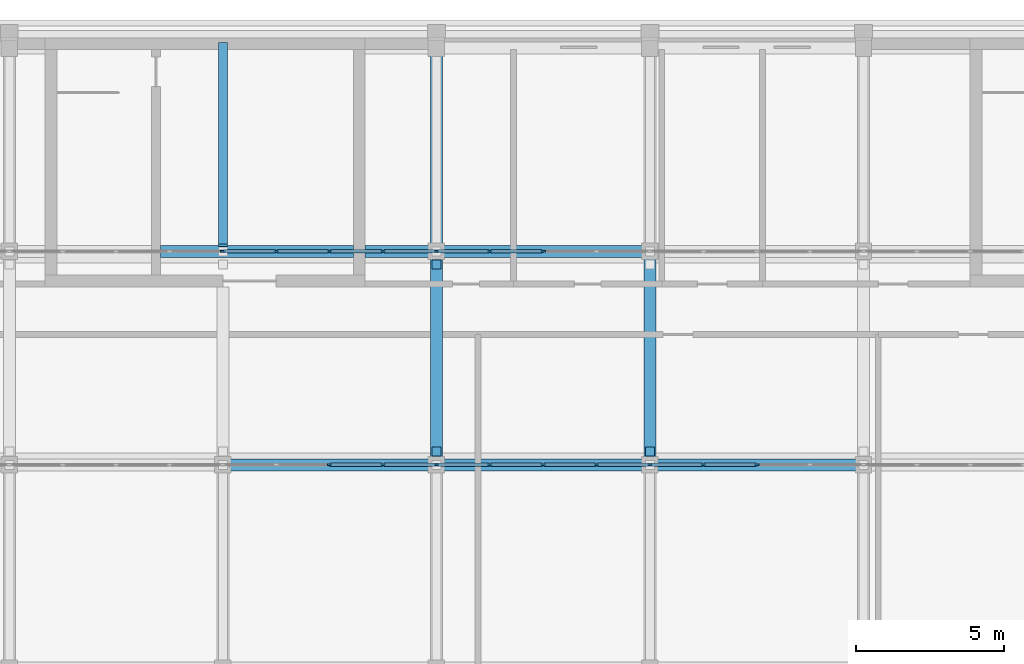
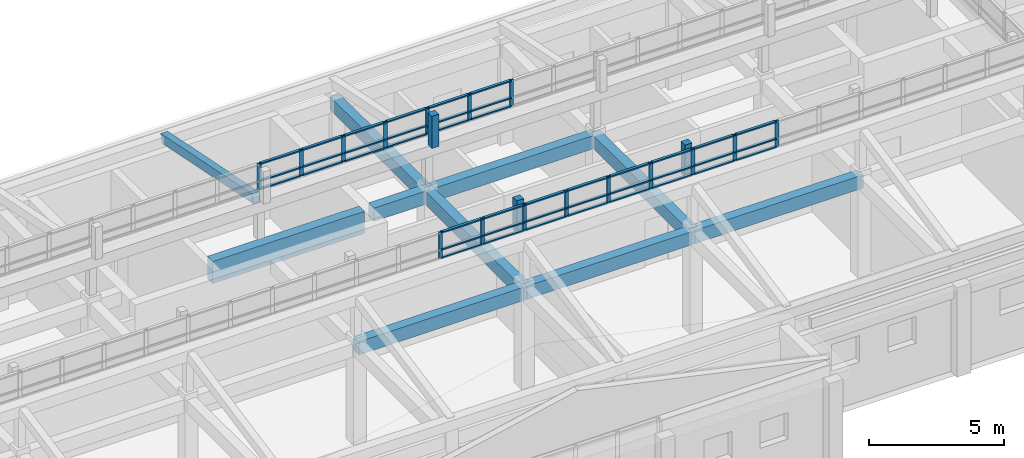
# One storey, part 19 of 48: 61 members, 10 beams, 2 elements without a shape of their own.
"""IFC4 building model written with IfcOpenShell, lengths in metres."""

from ifc_helpers import new_model, si_unit, direction, frame, origin, origin_2d, place, context, subcontext, project, spatial, rectangle, extrude, material, material_profile, profile_set, type_object, element, aggregate, save


model = new_model("IFC4")

# Units and contexts
model_context = context("Model", 3, precision=1e-05, world=origin(), true_north=direction((0.0, 1.0)))
body_context = subcontext(model_context, "Body", "Model", "MODEL_VIEW")
ifc_project = project(units=[si_unit("LENGTHUNIT", "METRE"), si_unit("AREAUNIT", "SQUARE_METRE"), si_unit("VOLUMEUNIT", "CUBIC_METRE"), si_unit("PLANEANGLEUNIT", "RADIAN"), si_unit("MASSUNIT", "GRAM", prefix="KILO")], contexts=[model_context])

# Site, building, storey
site_placement = place(None, origin())
site = spatial("IfcSite", under=ifc_project, at=site_placement, CompositionType="ELEMENT")
building_placement = place(site_placement, origin())
building = spatial("IfcBuilding", under=site, at=building_placement, Name="Alderwick Market Hall", CompositionType="ELEMENT")
storey_placement = place(building_placement, frame((0.0, 0.0, 14.39990234375)))
storey = spatial("IfcBuildingStorey", under=building, at=storey_placement, Name="L02", CompositionType="ELEMENT", Elevation=14.39990234375)

# Curtain wall, members
ifc_material_1 = material(Name="F Curtain Wall 1800 module")
curtain_wall_type = type_object("IfcCurtainWallType", Name="F Curtain Wall 1800 module", PredefinedType="NOTDEFINED", material=ifc_material_1)
curtain_wall_1_placement = place(storey_placement, origin())
curtain_wall_1 = element("IfcCurtainWall", 1, at=curtain_wall_1_placement, inside=storey, type_object=curtain_wall_type, Name="F.lantern.L02.s", PredefinedType="NOTDEFINED")
ifc_material_2 = material(Name="Aluminium alloy 6063-T6", Category="aluminium")
ifc_material_profile_1 = material_profile(ifc_material_2, rectangle(XDim=0.06005859375, YDim=0.159912109375, at=origin_2d()), Name="AL 60x160")
ifc_profile_set_1 = profile_set([ifc_material_profile_1], Name="Aluminium alloy 6063-T6")
member_type_1 = type_object("IfcMemberType", Name="F Curtain Wall Mullion 60x160", PredefinedType="MULLION", material=ifc_profile_set_1)
member_1_placement = place(storey_placement, frame((198.0, 136.800048828125, 6.955078125), z_axis=(0.0, 0.0, 1.0), x_axis=(0.0, 1.0, 0.0)))
member_1 = element("IfcMember", 2, at=member_1_placement, type_object=member_type_1, Name="F-LCW mullion 19", PredefinedType="MULLION", context=body_context, shape_type="SweptSolid", body=[
    extrude(rectangle(XDim=0.06005859375, YDim=0.159912109375, at=origin_2d()), origin(), (0.0, 0.0, 1.0), 1.199951171875),
])
member_2_placement = place(storey_placement, frame((199.800048828125, 136.800048828125, 6.955078125), z_axis=(0.0, 0.0, 1.0), x_axis=(0.0, 1.0, 0.0)))
member_2 = element("IfcMember", 3, at=member_2_placement, type_object=member_type_1, Name="F-LCW mullion 20", PredefinedType="MULLION", context=body_context, shape_type="SweptSolid", body=[
    extrude(rectangle(XDim=0.06005859375, YDim=0.159912109375, at=origin_2d()), origin(), (0.0, 0.0, 1.0), 1.199951171875),
])
member_3_placement = place(storey_placement, frame((201.60009765625, 136.800048828125, 6.955078125), z_axis=(0.0, 0.0, 1.0), x_axis=(0.0, 1.0, 0.0)))
member_3 = element("IfcMember", 4, at=member_3_placement, type_object=member_type_1, Name="F-LCW mullion 21", PredefinedType="MULLION", context=body_context, shape_type="SweptSolid", body=[
    extrude(rectangle(XDim=0.06005859375, YDim=0.159912109375, at=origin_2d()), origin(), (0.0, 0.0, 1.0), 1.199951171875),
])
member_4_placement = place(storey_placement, frame((203.39990234375, 136.800048828125, 6.955078125), z_axis=(0.0, 0.0, 1.0), x_axis=(0.0, 1.0, 0.0)))
member_4 = element("IfcMember", 5, at=member_4_placement, type_object=member_type_1, Name="F-LCW mullion 22", PredefinedType="MULLION", context=body_context, shape_type="SweptSolid", body=[
    extrude(rectangle(XDim=0.06005859375, YDim=0.159912109375, at=origin_2d()), origin(), (0.0, 0.0, 1.0), 1.199951171875),
])
member_5_placement = place(storey_placement, frame((205.199951171875, 136.800048828125, 6.955078125), z_axis=(0.0, 0.0, 1.0), x_axis=(0.0, 1.0, 0.0)))
member_5 = element("IfcMember", 6, at=member_5_placement, type_object=member_type_1, Name="F-LCW mullion 23", PredefinedType="MULLION", context=body_context, shape_type="SweptSolid", body=[
    extrude(rectangle(XDim=0.06005859375, YDim=0.159912109375, at=origin_2d()), origin(), (0.0, 0.0, 1.0), 1.199951171875),
])
member_6_placement = place(storey_placement, frame((207.0, 136.800048828125, 6.955078125), z_axis=(0.0, 0.0, 1.0), x_axis=(0.0, 1.0, 0.0)))
member_6 = element("IfcMember", 7, at=member_6_placement, type_object=member_type_1, Name="F-LCW mullion 24", PredefinedType="MULLION", context=body_context, shape_type="SweptSolid", body=[
    extrude(rectangle(XDim=0.06005859375, YDim=0.159912109375, at=origin_2d()), origin(), (0.0, 0.0, 1.0), 1.199951171875),
])
member_7_placement = place(storey_placement, frame((208.800048828125, 136.800048828125, 6.955078125), z_axis=(0.0, 0.0, 1.0), x_axis=(0.0, 1.0, 0.0)))
member_7 = element("IfcMember", 8, at=member_7_placement, type_object=member_type_1, Name="F-LCW mullion 25", PredefinedType="MULLION", context=body_context, shape_type="SweptSolid", body=[
    extrude(rectangle(XDim=0.06005859375, YDim=0.159912109375, at=origin_2d()), origin(), (0.0, 0.0, 1.0), 1.199951171875),
])
member_8_placement = place(storey_placement, frame((210.60009765625, 136.800048828125, 6.955078125), z_axis=(0.0, 0.0, 1.0), x_axis=(0.0, 1.0, 0.0)))
member_8 = element("IfcMember", 9, at=member_8_placement, type_object=member_type_1, Name="F-LCW mullion 26", PredefinedType="MULLION", context=body_context, shape_type="SweptSolid", body=[
    extrude(rectangle(XDim=0.06005859375, YDim=0.159912109375, at=origin_2d()), origin(), (0.0, 0.0, 1.0), 1.199951171875),
])
member_9_placement = place(storey_placement, frame((212.39990234375, 136.800048828125, 6.955078125), z_axis=(0.0, 0.0, 1.0), x_axis=(0.0, 1.0, 0.0)))
member_9 = element("IfcMember", 10, at=member_9_placement, type_object=member_type_1, Name="F-LCW mullion 27", PredefinedType="MULLION", context=body_context, shape_type="SweptSolid", body=[
    extrude(rectangle(XDim=0.06005859375, YDim=0.159912109375, at=origin_2d()), origin(), (0.0, 0.0, 1.0), 1.199951171875),
])

curtain_wall_2_placement = place(storey_placement, origin())
curtain_wall_2 = element("IfcCurtainWall", 11, at=curtain_wall_2_placement, inside=storey, type_object=curtain_wall_type, Name="F.lantern.L02.n", PredefinedType="NOTDEFINED")
member_10_placement = place(storey_placement, frame((194.39990234375, 144.0, 6.955078125), z_axis=(0.0, 0.0, 1.0), x_axis=(0.0, 1.0, 0.0)))
member_10 = element("IfcMember", 12, at=member_10_placement, type_object=member_type_1, Name="F-LCW mullion 17", PredefinedType="MULLION", context=body_context, shape_type="SweptSolid", body=[
    extrude(rectangle(XDim=0.06005859375, YDim=0.159912109375, at=origin_2d()), origin(), (0.0, 0.0, 1.0), 1.199951171875),
])
member_11_placement = place(storey_placement, frame((196.199951171875, 144.0, 6.955078125), z_axis=(0.0, 0.0, 1.0), x_axis=(0.0, 1.0, 0.0)))
member_11 = element("IfcMember", 13, at=member_11_placement, type_object=member_type_1, Name="F-LCW mullion 18", PredefinedType="MULLION", context=body_context, shape_type="SweptSolid", body=[
    extrude(rectangle(XDim=0.06005859375, YDim=0.159912109375, at=origin_2d()), origin(), (0.0, 0.0, 1.0), 1.199951171875),
])
member_12_placement = place(storey_placement, frame((198.0, 144.0, 6.955078125), z_axis=(0.0, 0.0, 1.0), x_axis=(0.0, 1.0, 0.0)))
member_12 = element("IfcMember", 14, at=member_12_placement, type_object=member_type_1, Name="F-LCW mullion 19", PredefinedType="MULLION", context=body_context, shape_type="SweptSolid", body=[
    extrude(rectangle(XDim=0.06005859375, YDim=0.159912109375, at=origin_2d()), origin(), (0.0, 0.0, 1.0), 1.199951171875),
])
member_13_placement = place(storey_placement, frame((199.800048828125, 144.0, 6.955078125), z_axis=(0.0, 0.0, 1.0), x_axis=(0.0, 1.0, 0.0)))
member_13 = element("IfcMember", 15, at=member_13_placement, type_object=member_type_1, Name="F-LCW mullion 20", PredefinedType="MULLION", context=body_context, shape_type="SweptSolid", body=[
    extrude(rectangle(XDim=0.06005859375, YDim=0.159912109375, at=origin_2d()), origin(), (0.0, 0.0, 1.0), 1.199951171875),
])
member_14_placement = place(storey_placement, frame((201.60009765625, 144.0, 6.955078125), z_axis=(0.0, 0.0, 1.0), x_axis=(0.0, 1.0, 0.0)))
member_14 = element("IfcMember", 16, at=member_14_placement, type_object=member_type_1, Name="F-LCW mullion 21", PredefinedType="MULLION", context=body_context, shape_type="SweptSolid", body=[
    extrude(rectangle(XDim=0.06005859375, YDim=0.159912109375, at=origin_2d()), origin(), (0.0, 0.0, 1.0), 1.199951171875),
])
member_15_placement = place(storey_placement, frame((203.39990234375, 144.0, 6.955078125), z_axis=(0.0, 0.0, 1.0), x_axis=(0.0, 1.0, 0.0)))
member_15 = element("IfcMember", 17, at=member_15_placement, type_object=member_type_1, Name="F-LCW mullion 22", PredefinedType="MULLION", context=body_context, shape_type="SweptSolid", body=[
    extrude(rectangle(XDim=0.06005859375, YDim=0.159912109375, at=origin_2d()), origin(), (0.0, 0.0, 1.0), 1.199951171875),
])
member_16_placement = place(storey_placement, frame((205.199951171875, 144.0, 6.955078125), z_axis=(0.0, 0.0, 1.0), x_axis=(0.0, 1.0, 0.0)))
member_16 = element("IfcMember", 18, at=member_16_placement, type_object=member_type_1, Name="F-LCW mullion 23", PredefinedType="MULLION", context=body_context, shape_type="SweptSolid", body=[
    extrude(rectangle(XDim=0.06005859375, YDim=0.159912109375, at=origin_2d()), origin(), (0.0, 0.0, 1.0), 1.199951171875),
])

# Member
ifc_material_profile_2 = material_profile(ifc_material_2, rectangle(XDim=0.1201171875, YDim=0.06005859375, at=origin_2d()), Name="AL 60x120")
ifc_profile_set_2 = profile_set([ifc_material_profile_2], Name="Aluminium alloy 6063-T6")
member_type_2 = type_object("IfcMemberType", Name="F Curtain Wall Transom 60x120", PredefinedType="USERDEFINED", material=ifc_profile_set_2)
member_17_placement = place(storey_placement, frame((198.030029296875, 136.800048828125, 6.985107421875), z_axis=(1.0, 0.0, 0.0), x_axis=(0.0, 1.0, 0.0)))
member_17 = element("IfcMember", 19, at=member_17_placement, type_object=member_type_2, Name="F-LCW transom 19.1", ObjectType="TRANSOM", PredefinedType="USERDEFINED", context=body_context, shape_type="SweptSolid", body=[
    extrude(rectangle(XDim=0.1201171875, YDim=0.06005859375, at=origin_2d()), origin(), (0.0, 0.0, 1.0), 1.739990234375),
])

member_18_placement = place(storey_placement, frame((198.030029296875, 136.800048828125, 7.35498046875), z_axis=(1.0, 0.0, 0.0), x_axis=(0.0, 1.0, 0.0)))
member_18 = element("IfcMember", 20, at=member_18_placement, type_object=member_type_2, Name="F-LCW transom 19.2", ObjectType="TRANSOM", PredefinedType="USERDEFINED", context=body_context, shape_type="SweptSolid", body=[
    extrude(rectangle(XDim=0.1201171875, YDim=0.06005859375, at=origin_2d()), origin(), (0.0, 0.0, 1.0), 1.739990234375),
])

member_19_placement = place(storey_placement, frame((198.030029296875, 136.800048828125, 8.125), z_axis=(1.0, 0.0, 0.0), x_axis=(0.0, 1.0, 0.0)))
member_19 = element("IfcMember", 21, at=member_19_placement, type_object=member_type_2, Name="F-LCW transom 19.3", ObjectType="TRANSOM", PredefinedType="USERDEFINED", context=body_context, shape_type="SweptSolid", body=[
    extrude(rectangle(XDim=0.1201171875, YDim=0.06005859375, at=origin_2d()), origin(), (0.0, 0.0, 1.0), 1.739990234375),
])

member_20_placement = place(storey_placement, frame((199.830078125, 136.800048828125, 6.985107421875), z_axis=(1.0, 0.0, 0.0), x_axis=(0.0, 1.0, 0.0)))
member_20 = element("IfcMember", 22, at=member_20_placement, type_object=member_type_2, Name="F-LCW transom 20.1", ObjectType="TRANSOM", PredefinedType="USERDEFINED", context=body_context, shape_type="SweptSolid", body=[
    extrude(rectangle(XDim=0.1201171875, YDim=0.06005859375, at=origin_2d()), origin(), (0.0, 0.0, 1.0), 1.739990234375),
])

member_21_placement = place(storey_placement, frame((199.830078125, 136.800048828125, 7.35498046875), z_axis=(1.0, 0.0, 0.0), x_axis=(0.0, 1.0, 0.0)))
member_21 = element("IfcMember", 23, at=member_21_placement, type_object=member_type_2, Name="F-LCW transom 20.2", ObjectType="TRANSOM", PredefinedType="USERDEFINED", context=body_context, shape_type="SweptSolid", body=[
    extrude(rectangle(XDim=0.1201171875, YDim=0.06005859375, at=origin_2d()), origin(), (0.0, 0.0, 1.0), 1.739990234375),
])

member_22_placement = place(storey_placement, frame((199.830078125, 136.800048828125, 8.125), z_axis=(1.0, 0.0, 0.0), x_axis=(0.0, 1.0, 0.0)))
member_22 = element("IfcMember", 24, at=member_22_placement, type_object=member_type_2, Name="F-LCW transom 20.3", ObjectType="TRANSOM", PredefinedType="USERDEFINED", context=body_context, shape_type="SweptSolid", body=[
    extrude(rectangle(XDim=0.1201171875, YDim=0.06005859375, at=origin_2d()), origin(), (0.0, 0.0, 1.0), 1.739990234375),
])

member_23_placement = place(storey_placement, frame((201.6298828125, 136.800048828125, 6.985107421875), z_axis=(1.0, 0.0, 0.0), x_axis=(0.0, 1.0, 0.0)))
member_23 = element("IfcMember", 25, at=member_23_placement, type_object=member_type_2, Name="F-LCW transom 21.1", ObjectType="TRANSOM", PredefinedType="USERDEFINED", context=body_context, shape_type="SweptSolid", body=[
    extrude(rectangle(XDim=0.1201171875, YDim=0.06005859375, at=origin_2d()), origin(), (0.0, 0.0, 1.0), 1.740234375),
])

member_24_placement = place(storey_placement, frame((201.6298828125, 136.800048828125, 7.35498046875), z_axis=(1.0, 0.0, 0.0), x_axis=(0.0, 1.0, 0.0)))
member_24 = element("IfcMember", 26, at=member_24_placement, type_object=member_type_2, Name="F-LCW transom 21.2", ObjectType="TRANSOM", PredefinedType="USERDEFINED", context=body_context, shape_type="SweptSolid", body=[
    extrude(rectangle(XDim=0.1201171875, YDim=0.06005859375, at=origin_2d()), origin(), (0.0, 0.0, 1.0), 1.740234375),
])

member_25_placement = place(storey_placement, frame((201.6298828125, 136.800048828125, 8.125), z_axis=(1.0, 0.0, 0.0), x_axis=(0.0, 1.0, 0.0)))
member_25 = element("IfcMember", 27, at=member_25_placement, type_object=member_type_2, Name="F-LCW transom 21.3", ObjectType="TRANSOM", PredefinedType="USERDEFINED", context=body_context, shape_type="SweptSolid", body=[
    extrude(rectangle(XDim=0.1201171875, YDim=0.06005859375, at=origin_2d()), origin(), (0.0, 0.0, 1.0), 1.740234375),
])

member_26_placement = place(storey_placement, frame((203.429931640625, 136.800048828125, 6.985107421875), z_axis=(1.0, 0.0, 0.0), x_axis=(0.0, 1.0, 0.0)))
member_26 = element("IfcMember", 28, at=member_26_placement, type_object=member_type_2, Name="F-LCW transom 22.1", ObjectType="TRANSOM", PredefinedType="USERDEFINED", context=body_context, shape_type="SweptSolid", body=[
    extrude(rectangle(XDim=0.1201171875, YDim=0.06005859375, at=origin_2d()), origin(), (0.0, 0.0, 1.0), 1.739990234375),
])

member_27_placement = place(storey_placement, frame((203.429931640625, 136.800048828125, 7.35498046875), z_axis=(1.0, 0.0, 0.0), x_axis=(0.0, 1.0, 0.0)))
member_27 = element("IfcMember", 29, at=member_27_placement, type_object=member_type_2, Name="F-LCW transom 22.2", ObjectType="TRANSOM", PredefinedType="USERDEFINED", context=body_context, shape_type="SweptSolid", body=[
    extrude(rectangle(XDim=0.1201171875, YDim=0.06005859375, at=origin_2d()), origin(), (0.0, 0.0, 1.0), 1.739990234375),
])

member_28_placement = place(storey_placement, frame((203.429931640625, 136.800048828125, 8.125), z_axis=(1.0, 0.0, 0.0), x_axis=(0.0, 1.0, 0.0)))
member_28 = element("IfcMember", 30, at=member_28_placement, type_object=member_type_2, Name="F-LCW transom 22.3", ObjectType="TRANSOM", PredefinedType="USERDEFINED", context=body_context, shape_type="SweptSolid", body=[
    extrude(rectangle(XDim=0.1201171875, YDim=0.06005859375, at=origin_2d()), origin(), (0.0, 0.0, 1.0), 1.739990234375),
])

member_29_placement = place(storey_placement, frame((205.22998046875, 136.800048828125, 6.985107421875), z_axis=(1.0, 0.0, 0.0), x_axis=(0.0, 1.0, 0.0)))
member_29 = element("IfcMember", 31, at=member_29_placement, type_object=member_type_2, Name="F-LCW transom 23.1", ObjectType="TRANSOM", PredefinedType="USERDEFINED", context=body_context, shape_type="SweptSolid", body=[
    extrude(rectangle(XDim=0.1201171875, YDim=0.06005859375, at=origin_2d()), origin(), (0.0, 0.0, 1.0), 1.739990234375),
])

member_30_placement = place(storey_placement, frame((205.22998046875, 136.800048828125, 7.35498046875), z_axis=(1.0, 0.0, 0.0), x_axis=(0.0, 1.0, 0.0)))
member_30 = element("IfcMember", 32, at=member_30_placement, type_object=member_type_2, Name="F-LCW transom 23.2", ObjectType="TRANSOM", PredefinedType="USERDEFINED", context=body_context, shape_type="SweptSolid", body=[
    extrude(rectangle(XDim=0.1201171875, YDim=0.06005859375, at=origin_2d()), origin(), (0.0, 0.0, 1.0), 1.739990234375),
])

member_31_placement = place(storey_placement, frame((205.22998046875, 136.800048828125, 8.125), z_axis=(1.0, 0.0, 0.0), x_axis=(0.0, 1.0, 0.0)))
member_31 = element("IfcMember", 33, at=member_31_placement, type_object=member_type_2, Name="F-LCW transom 23.3", ObjectType="TRANSOM", PredefinedType="USERDEFINED", context=body_context, shape_type="SweptSolid", body=[
    extrude(rectangle(XDim=0.1201171875, YDim=0.06005859375, at=origin_2d()), origin(), (0.0, 0.0, 1.0), 1.739990234375),
])

member_32_placement = place(storey_placement, frame((207.030029296875, 136.800048828125, 6.985107421875), z_axis=(1.0, 0.0, 0.0), x_axis=(0.0, 1.0, 0.0)))
member_32 = element("IfcMember", 34, at=member_32_placement, type_object=member_type_2, Name="F-LCW transom 24.1", ObjectType="TRANSOM", PredefinedType="USERDEFINED", context=body_context, shape_type="SweptSolid", body=[
    extrude(rectangle(XDim=0.1201171875, YDim=0.06005859375, at=origin_2d()), origin(), (0.0, 0.0, 1.0), 1.739990234375),
])

member_33_placement = place(storey_placement, frame((207.030029296875, 136.800048828125, 7.35498046875), z_axis=(1.0, 0.0, 0.0), x_axis=(0.0, 1.0, 0.0)))
member_33 = element("IfcMember", 35, at=member_33_placement, type_object=member_type_2, Name="F-LCW transom 24.2", ObjectType="TRANSOM", PredefinedType="USERDEFINED", context=body_context, shape_type="SweptSolid", body=[
    extrude(rectangle(XDim=0.1201171875, YDim=0.06005859375, at=origin_2d()), origin(), (0.0, 0.0, 1.0), 1.739990234375),
])

member_34_placement = place(storey_placement, frame((207.030029296875, 136.800048828125, 8.125), z_axis=(1.0, 0.0, 0.0), x_axis=(0.0, 1.0, 0.0)))
member_34 = element("IfcMember", 36, at=member_34_placement, type_object=member_type_2, Name="F-LCW transom 24.3", ObjectType="TRANSOM", PredefinedType="USERDEFINED", context=body_context, shape_type="SweptSolid", body=[
    extrude(rectangle(XDim=0.1201171875, YDim=0.06005859375, at=origin_2d()), origin(), (0.0, 0.0, 1.0), 1.739990234375),
])

member_35_placement = place(storey_placement, frame((208.830078125, 136.800048828125, 6.985107421875), z_axis=(1.0, 0.0, 0.0), x_axis=(0.0, 1.0, 0.0)))
member_35 = element("IfcMember", 37, at=member_35_placement, type_object=member_type_2, Name="F-LCW transom 25.1", ObjectType="TRANSOM", PredefinedType="USERDEFINED", context=body_context, shape_type="SweptSolid", body=[
    extrude(rectangle(XDim=0.1201171875, YDim=0.06005859375, at=origin_2d()), origin(), (0.0, 0.0, 1.0), 1.739990234375),
])

member_36_placement = place(storey_placement, frame((208.830078125, 136.800048828125, 7.35498046875), z_axis=(1.0, 0.0, 0.0), x_axis=(0.0, 1.0, 0.0)))
member_36 = element("IfcMember", 38, at=member_36_placement, type_object=member_type_2, Name="F-LCW transom 25.2", ObjectType="TRANSOM", PredefinedType="USERDEFINED", context=body_context, shape_type="SweptSolid", body=[
    extrude(rectangle(XDim=0.1201171875, YDim=0.06005859375, at=origin_2d()), origin(), (0.0, 0.0, 1.0), 1.739990234375),
])

member_37_placement = place(storey_placement, frame((208.830078125, 136.800048828125, 8.125), z_axis=(1.0, 0.0, 0.0), x_axis=(0.0, 1.0, 0.0)))
member_37 = element("IfcMember", 39, at=member_37_placement, type_object=member_type_2, Name="F-LCW transom 25.3", ObjectType="TRANSOM", PredefinedType="USERDEFINED", context=body_context, shape_type="SweptSolid", body=[
    extrude(rectangle(XDim=0.1201171875, YDim=0.06005859375, at=origin_2d()), origin(), (0.0, 0.0, 1.0), 1.739990234375),
])

member_38_placement = place(storey_placement, frame((210.6298828125, 136.800048828125, 6.985107421875), z_axis=(1.0, 0.0, 0.0), x_axis=(0.0, 1.0, 0.0)))
member_38 = element("IfcMember", 40, at=member_38_placement, type_object=member_type_2, Name="F-LCW transom 26.1", ObjectType="TRANSOM", PredefinedType="USERDEFINED", context=body_context, shape_type="SweptSolid", body=[
    extrude(rectangle(XDim=0.1201171875, YDim=0.06005859375, at=origin_2d()), origin(), (0.0, 0.0, 1.0), 1.740234375),
])

member_39_placement = place(storey_placement, frame((210.6298828125, 136.800048828125, 7.35498046875), z_axis=(1.0, 0.0, 0.0), x_axis=(0.0, 1.0, 0.0)))
member_39 = element("IfcMember", 41, at=member_39_placement, type_object=member_type_2, Name="F-LCW transom 26.2", ObjectType="TRANSOM", PredefinedType="USERDEFINED", context=body_context, shape_type="SweptSolid", body=[
    extrude(rectangle(XDim=0.1201171875, YDim=0.06005859375, at=origin_2d()), origin(), (0.0, 0.0, 1.0), 1.740234375),
])

member_40_placement = place(storey_placement, frame((210.6298828125, 136.800048828125, 8.125), z_axis=(1.0, 0.0, 0.0), x_axis=(0.0, 1.0, 0.0)))
member_40 = element("IfcMember", 42, at=member_40_placement, type_object=member_type_2, Name="F-LCW transom 26.3", ObjectType="TRANSOM", PredefinedType="USERDEFINED", context=body_context, shape_type="SweptSolid", body=[
    extrude(rectangle(XDim=0.1201171875, YDim=0.06005859375, at=origin_2d()), origin(), (0.0, 0.0, 1.0), 1.740234375),
])

aggregate(curtain_wall_1, [member_1, member_2, member_3, member_4, member_5, member_6, member_7, member_8, member_9, member_17, member_18, member_19, member_20, member_21, member_22, member_23, member_24, member_25, member_26, member_27, member_28, member_29, member_30, member_31, member_32, member_33, member_34, member_35, member_36, member_37, member_38, member_39, member_40])

member_41_placement = place(storey_placement, frame((194.429931640625, 144.0, 6.985107421875), z_axis=(1.0, 0.0, 0.0), x_axis=(0.0, 1.0, 0.0)))
member_41 = element("IfcMember", 43, at=member_41_placement, type_object=member_type_2, Name="F-LCW transom 17.1", ObjectType="TRANSOM", PredefinedType="USERDEFINED", context=body_context, shape_type="SweptSolid", body=[
    extrude(rectangle(XDim=0.1201171875, YDim=0.06005859375, at=origin_2d()), origin(), (0.0, 0.0, 1.0), 1.739990234375),
])

member_42_placement = place(storey_placement, frame((194.429931640625, 144.0, 7.35498046875), z_axis=(1.0, 0.0, 0.0), x_axis=(0.0, 1.0, 0.0)))
member_42 = element("IfcMember", 44, at=member_42_placement, type_object=member_type_2, Name="F-LCW transom 17.2", ObjectType="TRANSOM", PredefinedType="USERDEFINED", context=body_context, shape_type="SweptSolid", body=[
    extrude(rectangle(XDim=0.1201171875, YDim=0.06005859375, at=origin_2d()), origin(), (0.0, 0.0, 1.0), 1.739990234375),
])

member_43_placement = place(storey_placement, frame((194.429931640625, 144.0, 8.125), z_axis=(1.0, 0.0, 0.0), x_axis=(0.0, 1.0, 0.0)))
member_43 = element("IfcMember", 45, at=member_43_placement, type_object=member_type_2, Name="F-LCW transom 17.3", ObjectType="TRANSOM", PredefinedType="USERDEFINED", context=body_context, shape_type="SweptSolid", body=[
    extrude(rectangle(XDim=0.1201171875, YDim=0.06005859375, at=origin_2d()), origin(), (0.0, 0.0, 1.0), 1.739990234375),
])

member_44_placement = place(storey_placement, frame((196.22998046875, 144.0, 6.985107421875), z_axis=(1.0, 0.0, 0.0), x_axis=(0.0, 1.0, 0.0)))
member_44 = element("IfcMember", 46, at=member_44_placement, type_object=member_type_2, Name="F-LCW transom 18.1", ObjectType="TRANSOM", PredefinedType="USERDEFINED", context=body_context, shape_type="SweptSolid", body=[
    extrude(rectangle(XDim=0.1201171875, YDim=0.06005859375, at=origin_2d()), origin(), (0.0, 0.0, 1.0), 1.739990234375),
])

member_45_placement = place(storey_placement, frame((196.22998046875, 144.0, 7.35498046875), z_axis=(1.0, 0.0, 0.0), x_axis=(0.0, 1.0, 0.0)))
member_45 = element("IfcMember", 47, at=member_45_placement, type_object=member_type_2, Name="F-LCW transom 18.2", ObjectType="TRANSOM", PredefinedType="USERDEFINED", context=body_context, shape_type="SweptSolid", body=[
    extrude(rectangle(XDim=0.1201171875, YDim=0.06005859375, at=origin_2d()), origin(), (0.0, 0.0, 1.0), 1.739990234375),
])

member_46_placement = place(storey_placement, frame((196.22998046875, 144.0, 8.125), z_axis=(1.0, 0.0, 0.0), x_axis=(0.0, 1.0, 0.0)))
member_46 = element("IfcMember", 48, at=member_46_placement, type_object=member_type_2, Name="F-LCW transom 18.3", ObjectType="TRANSOM", PredefinedType="USERDEFINED", context=body_context, shape_type="SweptSolid", body=[
    extrude(rectangle(XDim=0.1201171875, YDim=0.06005859375, at=origin_2d()), origin(), (0.0, 0.0, 1.0), 1.739990234375),
])

member_47_placement = place(storey_placement, frame((198.030029296875, 144.0, 6.985107421875), z_axis=(1.0, 0.0, 0.0), x_axis=(0.0, 1.0, 0.0)))
member_47 = element("IfcMember", 49, at=member_47_placement, type_object=member_type_2, Name="F-LCW transom 19.1", ObjectType="TRANSOM", PredefinedType="USERDEFINED", context=body_context, shape_type="SweptSolid", body=[
    extrude(rectangle(XDim=0.1201171875, YDim=0.06005859375, at=origin_2d()), origin(), (0.0, 0.0, 1.0), 1.739990234375),
])

member_48_placement = place(storey_placement, frame((198.030029296875, 144.0, 7.35498046875), z_axis=(1.0, 0.0, 0.0), x_axis=(0.0, 1.0, 0.0)))
member_48 = element("IfcMember", 50, at=member_48_placement, type_object=member_type_2, Name="F-LCW transom 19.2", ObjectType="TRANSOM", PredefinedType="USERDEFINED", context=body_context, shape_type="SweptSolid", body=[
    extrude(rectangle(XDim=0.1201171875, YDim=0.06005859375, at=origin_2d()), origin(), (0.0, 0.0, 1.0), 1.739990234375),
])

member_49_placement = place(storey_placement, frame((198.030029296875, 144.0, 8.125), z_axis=(1.0, 0.0, 0.0), x_axis=(0.0, 1.0, 0.0)))
member_49 = element("IfcMember", 51, at=member_49_placement, type_object=member_type_2, Name="F-LCW transom 19.3", ObjectType="TRANSOM", PredefinedType="USERDEFINED", context=body_context, shape_type="SweptSolid", body=[
    extrude(rectangle(XDim=0.1201171875, YDim=0.06005859375, at=origin_2d()), origin(), (0.0, 0.0, 1.0), 1.739990234375),
])

member_50_placement = place(storey_placement, frame((199.830078125, 144.0, 6.985107421875), z_axis=(1.0, 0.0, 0.0), x_axis=(0.0, 1.0, 0.0)))
member_50 = element("IfcMember", 52, at=member_50_placement, type_object=member_type_2, Name="F-LCW transom 20.1", ObjectType="TRANSOM", PredefinedType="USERDEFINED", context=body_context, shape_type="SweptSolid", body=[
    extrude(rectangle(XDim=0.1201171875, YDim=0.06005859375, at=origin_2d()), origin(), (0.0, 0.0, 1.0), 1.739990234375),
])

member_51_placement = place(storey_placement, frame((199.830078125, 144.0, 7.35498046875), z_axis=(1.0, 0.0, 0.0), x_axis=(0.0, 1.0, 0.0)))
member_51 = element("IfcMember", 53, at=member_51_placement, type_object=member_type_2, Name="F-LCW transom 20.2", ObjectType="TRANSOM", PredefinedType="USERDEFINED", context=body_context, shape_type="SweptSolid", body=[
    extrude(rectangle(XDim=0.1201171875, YDim=0.06005859375, at=origin_2d()), origin(), (0.0, 0.0, 1.0), 1.739990234375),
])

member_52_placement = place(storey_placement, frame((199.830078125, 144.0, 8.125), z_axis=(1.0, 0.0, 0.0), x_axis=(0.0, 1.0, 0.0)))
member_52 = element("IfcMember", 54, at=member_52_placement, type_object=member_type_2, Name="F-LCW transom 20.3", ObjectType="TRANSOM", PredefinedType="USERDEFINED", context=body_context, shape_type="SweptSolid", body=[
    extrude(rectangle(XDim=0.1201171875, YDim=0.06005859375, at=origin_2d()), origin(), (0.0, 0.0, 1.0), 1.739990234375),
])

member_53_placement = place(storey_placement, frame((201.6298828125, 144.0, 6.985107421875), z_axis=(1.0, 0.0, 0.0), x_axis=(0.0, 1.0, 0.0)))
member_53 = element("IfcMember", 55, at=member_53_placement, type_object=member_type_2, Name="F-LCW transom 21.1", ObjectType="TRANSOM", PredefinedType="USERDEFINED", context=body_context, shape_type="SweptSolid", body=[
    extrude(rectangle(XDim=0.1201171875, YDim=0.06005859375, at=origin_2d()), origin(), (0.0, 0.0, 1.0), 1.740234375),
])

member_54_placement = place(storey_placement, frame((201.6298828125, 144.0, 7.35498046875), z_axis=(1.0, 0.0, 0.0), x_axis=(0.0, 1.0, 0.0)))
member_54 = element("IfcMember", 56, at=member_54_placement, type_object=member_type_2, Name="F-LCW transom 21.2", ObjectType="TRANSOM", PredefinedType="USERDEFINED", context=body_context, shape_type="SweptSolid", body=[
    extrude(rectangle(XDim=0.1201171875, YDim=0.06005859375, at=origin_2d()), origin(), (0.0, 0.0, 1.0), 1.740234375),
])

member_55_placement = place(storey_placement, frame((201.6298828125, 144.0, 8.125), z_axis=(1.0, 0.0, 0.0), x_axis=(0.0, 1.0, 0.0)))
member_55 = element("IfcMember", 57, at=member_55_placement, type_object=member_type_2, Name="F-LCW transom 21.3", ObjectType="TRANSOM", PredefinedType="USERDEFINED", context=body_context, shape_type="SweptSolid", body=[
    extrude(rectangle(XDim=0.1201171875, YDim=0.06005859375, at=origin_2d()), origin(), (0.0, 0.0, 1.0), 1.740234375),
])

member_56_placement = place(storey_placement, frame((203.429931640625, 144.0, 6.985107421875), z_axis=(1.0, 0.0, 0.0), x_axis=(0.0, 1.0, 0.0)))
member_56 = element("IfcMember", 58, at=member_56_placement, type_object=member_type_2, Name="F-LCW transom 22.1", ObjectType="TRANSOM", PredefinedType="USERDEFINED", context=body_context, shape_type="SweptSolid", body=[
    extrude(rectangle(XDim=0.1201171875, YDim=0.06005859375, at=origin_2d()), origin(), (0.0, 0.0, 1.0), 1.739990234375),
])

member_57_placement = place(storey_placement, frame((203.429931640625, 144.0, 7.35498046875), z_axis=(1.0, 0.0, 0.0), x_axis=(0.0, 1.0, 0.0)))
member_57 = element("IfcMember", 59, at=member_57_placement, type_object=member_type_2, Name="F-LCW transom 22.2", ObjectType="TRANSOM", PredefinedType="USERDEFINED", context=body_context, shape_type="SweptSolid", body=[
    extrude(rectangle(XDim=0.1201171875, YDim=0.06005859375, at=origin_2d()), origin(), (0.0, 0.0, 1.0), 1.739990234375),
])

member_58_placement = place(storey_placement, frame((203.429931640625, 144.0, 8.125), z_axis=(1.0, 0.0, 0.0), x_axis=(0.0, 1.0, 0.0)))
member_58 = element("IfcMember", 60, at=member_58_placement, type_object=member_type_2, Name="F-LCW transom 22.3", ObjectType="TRANSOM", PredefinedType="USERDEFINED", context=body_context, shape_type="SweptSolid", body=[
    extrude(rectangle(XDim=0.1201171875, YDim=0.06005859375, at=origin_2d()), origin(), (0.0, 0.0, 1.0), 1.739990234375),
])

aggregate(curtain_wall_2, [member_10, member_11, member_12, member_13, member_14, member_15, member_16, member_41, member_42, member_43, member_44, member_45, member_46, member_47, member_48, member_49, member_50, member_51, member_52, member_53, member_54, member_55, member_56, member_57, member_58])

# Beams
ifc_material_3 = material(Name="Concrete 5000 psi (f'c 35 MPa)", Category="concrete")
ifc_material_profile_3 = material_profile(ifc_material_3, rectangle(XDim=0.39990234375, YDim=0.60009765625, at=origin_2d()), Name="RC 400x600")
ifc_profile_set_3 = profile_set([ifc_material_profile_3], Name="Concrete 5000 psi (f'c 35 MPa)")
beam_type_1 = type_object("IfcBeamType", Name="F Floor Beam RC 400x600", PredefinedType="BEAM", material=ifc_profile_set_3)
beam_1_placement = place(storey_placement, frame((194.39990234375, 136.800048828125, 4.25), z_axis=(1.0, 0.0, 0.0), x_axis=(0.0, 1.0, 0.0)))
element("IfcBeam", 61, at=beam_1_placement, inside=storey, type_object=beam_type_1, Name="F.beam.L02.016", PredefinedType="BEAM", context=body_context, shape_type="SweptSolid", body=[
    extrude(rectangle(XDim=0.39990234375, YDim=0.60009765625, at=origin_2d()), origin(), (0.0, 0.0, 1.0), 7.2001953125),
])
for number, where, z_axis, x_axis, name in (
    (62, (201.60009765625, 136.800048828125, 4.25), (1.0, 0.0, 0.0), (0.0, 1.0, 0.0), "F.beam.L02.017"),
    (63, (208.800048828125, 136.800048828125, 4.25), (1.0, 0.0, 0.0), (0.0, 1.0, 0.0), "F.beam.L02.018"),
):
    element("IfcBeam", number, at=place(storey_placement, frame(where, z_axis=z_axis, x_axis=x_axis)), inside=storey, type_object=beam_type_1, Name=name, PredefinedType="BEAM", context=body_context, shape_type="SweptSolid", body=[
        extrude(rectangle(XDim=0.39990234375, YDim=0.60009765625, at=origin_2d()), origin(), (0.0, 0.0, 1.0), 7.199951171875),
    ])
beam_2_placement = place(storey_placement, frame((199.198974609375, 144.0, 4.25), z_axis=(1.0, 0.0, 0.0), x_axis=(0.0, 1.0, 0.0)))
element("IfcBeam", 64, at=beam_2_placement, inside=storey, type_object=beam_type_1, Name="F.beam.L02.025", PredefinedType="BEAM", context=body_context, shape_type="SweptSolid", body=[
    extrude(rectangle(XDim=0.39990234375, YDim=0.60009765625, at=origin_2d()), origin(), (0.0, 0.0, 1.0), 2.401123046875),
])
for number, where, z_axis, x_axis, name in (
    (65, (201.60009765625, 144.0, 4.25), (1.0, 0.0, 0.0), (0.0, 1.0, 0.0), "F.beam.L02.026"),
    (66, (201.60009765625, 136.800048828125, 4.25), (0.0, 1.0, 0.0), (-1.0, 0.0, 0.0), "F.beam.L02.053"),
):
    element("IfcBeam", number, at=place(storey_placement, frame(where, z_axis=z_axis, x_axis=x_axis)), inside=storey, type_object=beam_type_1, Name=name, PredefinedType="BEAM", context=body_context, shape_type="SweptSolid", body=[
        extrude(rectangle(XDim=0.39990234375, YDim=0.60009765625, at=origin_2d()), origin(), (0.0, 0.0, 1.0), 7.199951171875),
    ])
beam_3_placement = place(storey_placement, frame((201.60009765625, 144.0, 4.25), z_axis=(0.0, 1.0, 0.0), x_axis=(-1.0, 0.0, 0.0)))
element("IfcBeam", 67, at=beam_3_placement, inside=storey, type_object=beam_type_1, Name="F.beam.L02.054", PredefinedType="BEAM", context=body_context, shape_type="SweptSolid", body=[
    extrude(rectangle(XDim=0.39990234375, YDim=0.60009765625, at=origin_2d()), origin(), (0.0, 0.0, 1.0), 6.85009765625),
])
beam_4_placement = place(storey_placement, frame((208.800048828125, 136.800048828125, 4.25), z_axis=(0.0, 1.0, 0.0), x_axis=(-1.0, 0.0, 0.0)))
element("IfcBeam", 68, at=beam_4_placement, inside=storey, type_object=beam_type_1, Name="F.beam.L02.056", PredefinedType="BEAM", context=body_context, shape_type="SweptSolid", body=[
    extrude(rectangle(XDim=0.39990234375, YDim=0.60009765625, at=origin_2d()), origin(), (0.0, 0.0, 1.0), 7.199951171875),
])

# Members
ifc_material_profile_4 = material_profile(ifc_material_3, rectangle(XDim=0.300048828125, YDim=0.300048828125, at=origin_2d()), Name="RC 300x300")
ifc_profile_set_4 = profile_set([ifc_material_profile_4], Name="Concrete 5000 psi (f'c 35 MPa)")
member_type_3 = type_object("IfcMemberType", Name="F Lantern Post RC 300x300", PredefinedType="POST", material=ifc_profile_set_4)
for number, where, z_axis, x_axis, name in (
    (69, (201.60009765625, 137.25, 6.7001953125), (0.0, 0.0, 1.0), (1.0, 0.0, 0.0), "F.lanternpost.L02.06"),
    (70, (208.800048828125, 137.25, 6.7001953125), (0.0, 0.0, 1.0), (1.0, 0.0, 0.0), "F.lanternpost.L02.07"),
    (71, (201.60009765625, 143.550048828125, 6.7001953125), (0.0, 0.0, 1.0), (1.0, 0.0, 0.0), "F.lanternpost.L02.15"),
):
    element("IfcMember", number, at=place(storey_placement, frame(where, z_axis=z_axis, x_axis=x_axis)), inside=storey, type_object=member_type_3, Name=name, PredefinedType="POST", context=body_context, shape_type="SweptSolid", body=[
        extrude(rectangle(XDim=0.300048828125, YDim=0.300048828125, at=origin_2d()), origin(), (0.0, 0.0, 1.0), 1.454833984375),
    ])

# Beams
ifc_material_profile_5 = material_profile(ifc_material_3, rectangle(XDim=0.300048828125, YDim=0.39990234375, at=origin_2d()), Name="RC 300x400")
ifc_profile_set_5 = profile_set([ifc_material_profile_5], Name="Concrete 5000 psi (f'c 35 MPa)")
beam_type_2 = type_object("IfcBeamType", Name="F Rafter RC 300x400", PredefinedType="BEAM", material=ifc_profile_set_5)
beam_5_placement = place(storey_placement, frame((194.39990234375, 151.0, 5.08642578125), z_axis=(0.0, -0.980319904111, 0.197415515103), x_axis=(1.0, 0.0, 0.0)))
element("IfcBeam", 72, at=beam_5_placement, inside=storey, type_object=beam_type_2, Name="F.rafter.L02.010", PredefinedType="BEAM", context=body_context, shape_type="SweptSolid", body=[
    extrude(rectangle(XDim=0.300048828125, YDim=0.39990234375, at=origin_2d()), origin(), (0.0, 0.0, 1.0), 6.9365234375),
])
ifc_material_profile_6 = material_profile(ifc_material_3, rectangle(XDim=0.39990234375, YDim=1.0, at=origin_2d()), Name="RC 400x1000")
ifc_profile_set_6 = profile_set([ifc_material_profile_6], Name="Concrete 5000 psi (f'c 35 MPa)")
beam_type_3 = type_object("IfcBeamType", Name="F Transfer Girder RC 400x1000", PredefinedType="BEAM", material=ifc_profile_set_6)
beam_6_placement = place(storey_placement, frame((192.300048828125, 144.0, 4.050048828125), z_axis=(1.0, 0.0, 0.0), x_axis=(0.0, 1.0, 0.0)))
element("IfcBeam", 73, at=beam_6_placement, inside=storey, type_object=beam_type_3, Name="F.tgirder.L02.14", PredefinedType="BEAM", context=body_context, shape_type="SweptSolid", body=[
    extrude(rectangle(XDim=0.39990234375, YDim=1.0, at=origin_2d()), origin(), (0.0, 0.0, 1.0), 6.5),
])

save(model, "model.ifc")
